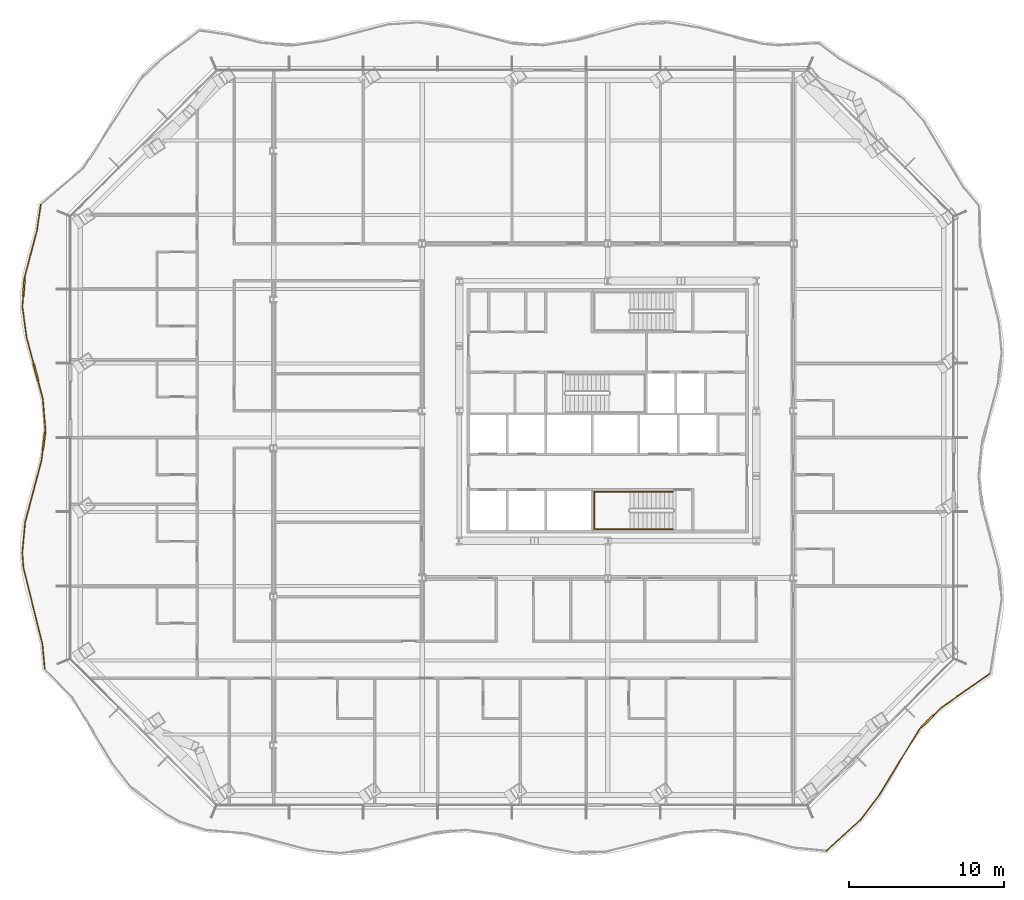
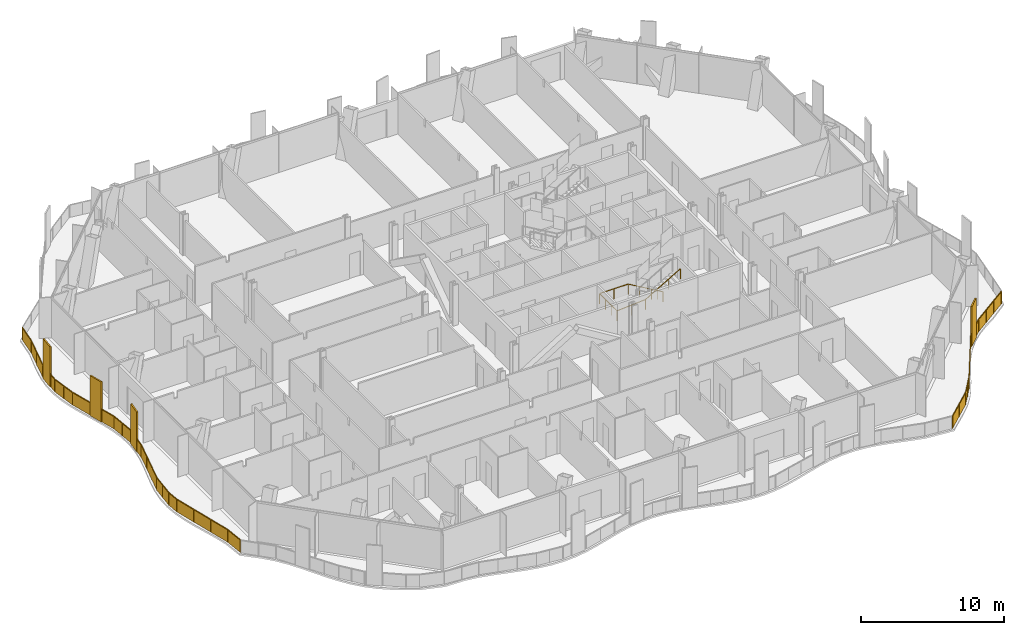
# One storey, part 13 of 17: 3 railings.
"""IFC4 building model written with IfcOpenShell, lengths in metres."""

from ifc_helpers import new_model, si_unit, direction, frame, origin, origin_2d, place, context, subcontext, project, spatial, polyline, rectangle, outline, extrude, material, type_object, element, save


model = new_model("IFC4")

# Units and contexts
model_context = context("Model", 3, precision=1e-05, world=origin(), true_north=direction((0.0, 1.0)))
body_context = subcontext(model_context, "Body", "Model", "MODEL_VIEW")
ifc_project = project(units=[si_unit("LENGTHUNIT", "METRE"), si_unit("AREAUNIT", "SQUARE_METRE"), si_unit("VOLUMEUNIT", "CUBIC_METRE"), si_unit("PLANEANGLEUNIT", "RADIAN"), si_unit("MASSUNIT", "GRAM", prefix="KILO")], contexts=[model_context])

# Site, building, storey
site_placement = place(None, origin())
site = spatial("IfcSite", under=ifc_project, at=site_placement, CompositionType="ELEMENT")
building_placement = place(site_placement, origin())
building = spatial("IfcBuilding", under=site, at=building_placement, Name="Cairn Pilgrim Tower", CompositionType="ELEMENT")
storey_placement = place(building_placement, frame((0.0, 0.0, 94.199951171875)))
storey = spatial("IfcBuildingStorey", under=building, at=storey_placement, Name="L22", CompositionType="ELEMENT", Elevation=94.199951171875)

# Railings
ifc_material_1 = material(Name="Bronze anodised aluminium rail, posts and fin screens with laminated glass infill", Category="aluminium")
railing_type_1 = type_object("IfcRailingType", Name="BALCONY GUARD WITH FIN SCREENS", PredefinedType="GUARDRAIL", material=ifc_material_1)
railing_1_placement = place(storey_placement, frame((21.33984375, -26.028564453125, 0.0)))
element("IfcRailing", 1, at=railing_1_placement, inside=storey, type_object=railing_type_1, Name="Balcony guard BGF-1 with fin screens", PredefinedType="GUARDRAIL", context=body_context, shape_type="SweptSolid", body=[
    extrude(rectangle(XDim=0.050048828125, YDim=0.050048828125, at=origin_2d()), frame((0.0, 0.0, 1.0751953125), z_axis=(0.737340494157, 0.675521276998, 0.0), x_axis=(-0.675521276998, 0.737340494157, 0.0)), (0.0, 0.0, 1.0), 3.044921875),
    extrude(rectangle(XDim=0.050048828125, YDim=0.050048828125, at=origin_2d()), frame((2.2451171875, 2.056884765625, 1.0751953125), z_axis=(0.60116868319, 0.799122152335, 0.0), x_axis=(-0.799122152335, 0.60116868319, 0.0)), (0.0, 0.0, 1.0), 1.9375),
    extrude(rectangle(XDim=0.050048828125, YDim=0.050048828125, at=origin_2d()), frame((3.409912109375, 3.605224609375, 1.0751953125), z_axis=(0.52057096734, 0.853818404558, 0.0), x_axis=(-0.853818404558, 0.52057096734, 0.0)), (0.0, 0.0, 1.0), 5.000732421875),
    extrude(rectangle(XDim=1.10009765625, YDim=0.110107421875, at=origin_2d()), frame((6.513671875, 8.364501953125, 0.0), z_axis=(0.0, 0.0, 1.0), x_axis=(0.714869029788, 0.699258371598, 0.0)), (0.0, 0.0, 1.0), 3.39990234375),
    extrude(rectangle(XDim=0.050048828125, YDim=0.050048828125, at=origin_2d()), frame((6.01318359375, 7.875, 1.0751953125), z_axis=(0.714869029788, 0.699258371598, 0.0), x_axis=(-0.699258371598, 0.714869029788, 0.0)), (0.0, 0.0, 1.0), 0.14990234375),
    extrude(rectangle(XDim=0.050048828125, YDim=0.050048828125, at=origin_2d()), frame((6.90673828125, 8.7490234375, 1.0751953125), z_axis=(0.714869029788, 0.699258371598, 0.0), x_axis=(-0.699258371598, 0.714869029788, 0.0)), (0.0, 0.0, 1.0), 0.720703125),
    extrude(rectangle(XDim=0.050048828125, YDim=0.050048828125, at=origin_2d()), frame((7.421875, 9.2529296875, 1.0751953125), z_axis=(0.819328850629, 0.573323847862, 0.0), x_axis=(-0.573323847862, 0.819328850629, 0.0)), (0.0, 0.0, 1.0), 3.7861328125),
    extrude(rectangle(XDim=0.050048828125, YDim=0.050048828125, at=origin_2d()), origin(), (0.0, 0.0, 1.0), 1.050048828125),
    extrude(rectangle(XDim=0.050048828125, YDim=0.050048828125, at=origin_2d()), frame((1.12255859375, 1.0283203125, 0.0)), (0.0, 0.0, 1.0), 1.050048828125),
    extrude(rectangle(XDim=0.050048828125, YDim=0.050048828125, at=origin_2d()), frame((2.2451171875, 2.056884765625, 0.0)), (0.0, 0.0, 1.0), 1.050048828125),
    extrude(rectangle(XDim=0.050048828125, YDim=0.050048828125, at=origin_2d()), frame((2.82763671875, 2.8310546875, 0.0)), (0.0, 0.0, 1.0), 1.050048828125),
    extrude(rectangle(XDim=0.050048828125, YDim=0.050048828125, at=origin_2d()), frame((3.409912109375, 3.605224609375, 0.0)), (0.0, 0.0, 1.0), 1.050048828125),
    extrude(rectangle(XDim=0.050048828125, YDim=0.050048828125, at=origin_2d()), frame((4.277587890625, 5.028564453125, 0.0)), (0.0, 0.0, 1.0), 1.050048828125),
    extrude(rectangle(XDim=0.050048828125, YDim=0.050048828125, at=origin_2d()), frame((5.1455078125, 6.45166015625, 0.0)), (0.0, 0.0, 1.0), 1.050048828125),
    extrude(rectangle(XDim=0.050048828125, YDim=0.050048828125, at=origin_2d()), frame((6.01318359375, 7.875, 0.0)), (0.0, 0.0, 1.0), 1.050048828125),
    extrude(rectangle(XDim=0.050048828125, YDim=0.050048828125, at=origin_2d()), frame((6.1025390625, 7.96240234375, 0.0)), (0.0, 0.0, 1.0), 1.050048828125),
    extrude(rectangle(XDim=0.050048828125, YDim=0.050048828125, at=origin_2d()), frame((6.924560546875, 8.7666015625, 0.0)), (0.0, 0.0, 1.0), 1.050048828125),
    extrude(rectangle(XDim=0.050048828125, YDim=0.050048828125, at=origin_2d()), frame((7.421875, 9.2529296875, 0.0)), (0.0, 0.0, 1.0), 1.050048828125),
    extrude(rectangle(XDim=0.050048828125, YDim=0.050048828125, at=origin_2d()), frame((8.455810546875, 9.9765625, 0.0)), (0.0, 0.0, 1.0), 1.050048828125),
    extrude(rectangle(XDim=0.050048828125, YDim=0.050048828125, at=origin_2d()), frame((9.489990234375, 10.699951171875, 0.0)), (0.0, 0.0, 1.0), 1.050048828125),
    extrude(rectangle(XDim=0.050048828125, YDim=0.050048828125, at=origin_2d()), frame((10.52392578125, 11.423583984375, 0.0)), (0.0, 0.0, 1.0), 1.050048828125),
    extrude(outline(polyline([(0.02490234375, 0.0), (1.497314453125, 0.0), (1.497314453125, 1.050048828125), (0.02490234375, 1.050048828125), (0.02490234375, 0.0)])), frame((-0.004150390625, 0.00439453125, 0.0), z_axis=(0.675521276998, -0.737340494157, 0.0), x_axis=(0.737340494157, 0.675521276998, 0.0)), (0.0, 0.0, 1.0), 0.011962890625),
    extrude(outline(polyline([(0.02490234375, 0.0), (1.497314453125, 0.0), (1.497314453125, 1.050048828125), (0.02490234375, 1.050048828125), (0.02490234375, 0.0)])), frame((1.118408203125, 1.032958984375, 0.0), z_axis=(0.675521276998, -0.737340494157, 0.0), x_axis=(0.737340494157, 0.675521276998, 0.0)), (0.0, 0.0, 1.0), 0.011962890625),
    extrude(outline(polyline([(0.02490234375, 0.0), (0.94384765625, 0.0), (0.94384765625, 1.050048828125), (0.02490234375, 1.050048828125), (0.02490234375, 0.0)])), frame((2.240234375, 2.060546875, 0.0), z_axis=(0.799122152335, -0.60116868319, 0.0), x_axis=(0.60116868319, 0.799122152335, 0.0)), (0.0, 0.0, 1.0), 0.011962890625),
    extrude(outline(polyline([(0.02490234375, 0.0), (0.94384765625, 0.0), (0.94384765625, 1.050048828125), (0.02490234375, 1.050048828125), (0.02490234375, 0.0)])), frame((2.82275390625, 2.834716796875, 0.0), z_axis=(0.799122152335, -0.60116868319, 0.0), x_axis=(0.60116868319, 0.799122152335, 0.0)), (0.0, 0.0, 1.0), 0.011962890625),
    extrude(outline(polyline([(0.02490234375, 0.0), (1.641845703125, 0.0), (1.641845703125, 1.050048828125), (0.02490234375, 1.050048828125), (0.02490234375, 0.0)])), frame((3.40478515625, 3.6083984375, 0.0), z_axis=(0.853818404558, -0.52057096734, 0.0), x_axis=(0.52057096734, 0.853818404558, 0.0)), (0.0, 0.0, 1.0), 0.011962890625),
    extrude(outline(polyline([(0.02490234375, 0.0), (1.641845703125, 0.0), (1.641845703125, 1.050048828125), (0.02490234375, 1.050048828125), (0.02490234375, 0.0)])), frame((4.2724609375, 5.031494140625, 0.0), z_axis=(0.853818404558, -0.52057096734, 0.0), x_axis=(0.52057096734, 0.853818404558, 0.0)), (0.0, 0.0, 1.0), 0.011962890625),
    extrude(outline(polyline([(0.02490234375, 0.0), (1.641845703125, 0.0), (1.641845703125, 1.050048828125), (0.02490234375, 1.050048828125), (0.02490234375, 0.0)])), frame((5.140380859375, 6.454833984375, 0.0), z_axis=(0.853818404558, -0.52057096734, 0.0), x_axis=(0.52057096734, 0.853818404558, 0.0)), (0.0, 0.0, 1.0), 0.011962890625),
    extrude(outline(polyline([(0.02490234375, 0.0), (0.099853515625, 0.0), (0.099853515625, 1.050048828125), (0.02490234375, 1.050048828125), (0.02490234375, 0.0)])), frame((6.009033203125, 7.87939453125, 0.0), z_axis=(0.699258371598, -0.714869029788, 0.0), x_axis=(0.714869029788, 0.699258371598, 0.0)), (0.0, 0.0, 1.0), 0.011962890625),
    extrude(outline(polyline([(0.02490234375, 0.0), (0.670654296875, 0.0), (0.670654296875, 1.050048828125), (0.02490234375, 1.050048828125), (0.02490234375, 0.0)])), frame((6.92041015625, 8.770751953125, 0.0), z_axis=(0.699258371598, -0.714869029788, 0.0), x_axis=(0.714869029788, 0.699258371598, 0.0)), (0.0, 0.0, 1.0), 0.011962890625),
    extrude(outline(polyline([(0.02490234375, 0.0), (1.237060546875, 0.0), (1.237060546875, 1.050048828125), (0.02490234375, 1.050048828125), (0.02490234375, 0.0)])), frame((7.41845703125, 9.2578125, 0.0), z_axis=(0.573323847862, -0.819328850629, 0.0), x_axis=(0.819328850629, 0.573323847862, 0.0)), (0.0, 0.0, 1.0), 0.011962890625),
    extrude(outline(polyline([(0.02490234375, 0.0), (1.237060546875, 0.0), (1.237060546875, 1.050048828125), (0.02490234375, 1.050048828125), (0.02490234375, 0.0)])), frame((8.452392578125, 9.9814453125, 0.0), z_axis=(0.573323847862, -0.819328850629, 0.0), x_axis=(0.819328850629, 0.573323847862, 0.0)), (0.0, 0.0, 1.0), 0.011962890625),
    extrude(outline(polyline([(0.02490234375, 0.0), (1.237060546875, 0.0), (1.237060546875, 1.050048828125), (0.02490234375, 1.050048828125), (0.02490234375, 0.0)])), frame((9.486572265625, 10.704833984375, 0.0), z_axis=(0.573323847862, -0.819328850629, 0.0), x_axis=(0.819328850629, 0.573323847862, 0.0)), (0.0, 0.0, 1.0), 0.011962890625),
])
railing_2_placement = place(storey_placement, frame((-29.444091796875, 15.7373046875, 0.0)))
element("IfcRailing", 2, at=railing_2_placement, inside=storey, type_object=railing_type_1, Name="Balcony guard BGF-6 with fin screens", PredefinedType="GUARDRAIL", context=body_context, shape_type="SweptSolid", body=[
    extrude(rectangle(XDim=0.050048828125, YDim=0.050048828125, at=origin_2d()), frame((0.0, 0.0, 1.0751953125), z_axis=(-0.148284513819, -0.988944742117, 0.0), x_axis=(0.988944742117, -0.148284513819, 0.0)), (0.0, 0.0, 1.0), 1.707275390625),
    extrude(rectangle(XDim=0.050048828125, YDim=0.050048828125, at=origin_2d()), frame((-0.253173828125, -1.6884765625, 1.0751953125), z_axis=(-0.255251134666, -0.966874789335, 0.0), x_axis=(0.966874789335, -0.255251134666, 0.0)), (0.0, 0.0, 1.0), 3.075927734375),
    extrude(rectangle(XDim=1.10009765625, YDim=0.110107421875, at=origin_2d()), frame((-1.093017578125, -5.360595703125, 0.0), z_axis=(0.0, 0.0, 1.0), x_axis=(-0.078247003732, -0.996934003035, 0.0)), (0.0, 0.0, 1.0), 3.39990234375),
    extrude(rectangle(XDim=0.050048828125, YDim=0.050048828125, at=origin_2d()), frame((-1.038330078125, -4.66259765625, 1.0751953125), z_axis=(-0.078247003732, -0.996934003035, 0.0), x_axis=(0.996934003035, -0.078247003732, 0.0)), (0.0, 0.0, 1.0), 0.150146484375),
    extrude(rectangle(XDim=0.050048828125, YDim=0.050048828125, at=origin_2d()), frame((-1.13623046875, -5.908935546875, 1.0751953125), z_axis=(-0.078247003732, -0.996934003035, 0.0), x_axis=(0.996934003035, -0.078247003732, 0.0)), (0.0, 0.0, 1.0), 0.71240234375),
    extrude(rectangle(XDim=0.050048828125, YDim=0.050048828125, at=origin_2d()), frame((-1.19189453125, -6.619140625, 1.0751953125), z_axis=(0.137121414597, -0.990554247711, 0.0), x_axis=(0.990554247711, 0.137121414597, 0.0)), (0.0, 0.0, 1.0), 1.97998046875),
    extrude(rectangle(XDim=1.10009765625, YDim=0.110107421875, at=origin_2d()), frame((-0.3203125, -10.852294921875, 0.0), z_axis=(0.0, 0.0, 1.0), x_axis=(0.255378558852, -0.96684114087, 0.0)), (0.0, 0.0, 1.0), 3.39990234375),
    extrude(rectangle(XDim=0.050048828125, YDim=0.050048828125, at=origin_2d()), frame((-0.92041015625, -8.580322265625, 1.0751953125), z_axis=(0.255378558852, -0.96684114087, 0.0), x_axis=(0.96684114087, 0.255378558852, 0.0)), (0.0, 0.0, 1.0), 1.800048828125),
    extrude(rectangle(XDim=0.050048828125, YDim=0.050048828125, at=origin_2d()), frame((-0.179931640625, -11.384033203125, 1.0751953125), z_axis=(0.255378558852, -0.96684114087, 0.0), x_axis=(0.96684114087, 0.255378558852, 0.0)), (0.0, 0.0, 1.0), 1.212646484375),
    extrude(rectangle(XDim=0.050048828125, YDim=0.050048828125, at=origin_2d()), frame((0.1298828125, -12.556640625, 1.0751953125), z_axis=(0.084254163408, -0.99644429646, 0.0), x_axis=(0.99644429646, 0.084254163408, 0.0)), (0.0, 0.0, 1.0), 2.0224609375),
    extrude(rectangle(XDim=1.10009765625, YDim=0.110107421875, at=origin_2d()), frame((0.2080078125, -15.26611328125, 0.0), z_axis=(0.0, 0.0, 1.0), x_axis=(-0.131832796565, -0.9912719676, 0.0)), (0.0, 0.0, 1.0), 3.39990234375),
    extrude(rectangle(XDim=0.050048828125, YDim=0.050048828125, at=origin_2d()), frame((0.30029296875, -14.572021484375, 1.0751953125), z_axis=(-0.131832796565, -0.9912719676, 0.0), x_axis=(0.9912719676, -0.131832796565, 0.0)), (0.0, 0.0, 1.0), 0.150146484375),
    extrude(rectangle(XDim=0.050048828125, YDim=0.050048828125, at=origin_2d()), frame((0.135498046875, -15.811279296875, 1.0751953125), z_axis=(-0.131832796565, -0.9912719676, 0.0), x_axis=(0.9912719676, -0.131832796565, 0.0)), (0.0, 0.0, 1.0), 0.779541015625),
    extrude(rectangle(XDim=0.050048828125, YDim=0.050048828125, at=origin_2d()), frame((0.03271484375, -16.583984375, 1.0751953125), z_axis=(-0.255859873547, -0.96671387965, 0.0), x_axis=(0.96671387965, -0.255859873547, 0.0)), (0.0, 0.0, 1.0), 4.10595703125),
    extrude(rectangle(XDim=0.050048828125, YDim=0.050048828125, at=origin_2d()), frame((-1.017822265625, -20.55322265625, 1.0751953125), z_axis=(-0.090010337781, -0.99594083112, 0.0), x_axis=(0.99594083112, -0.090010337781, 0.0)), (0.0, 0.0, 1.0), 1.96923828125),
    extrude(rectangle(XDim=0.050048828125, YDim=0.050048828125, at=origin_2d()), frame((-1.195068359375, -22.514404296875, 1.0751953125), z_axis=(0.076196500556, -0.997092820806, 0.0), x_axis=(0.997092820806, 0.076196500556, 0.0)), (0.0, 0.0, 1.0), 0.970947265625),
    extrude(rectangle(XDim=0.050048828125, YDim=0.050048828125, at=origin_2d()), frame((-1.12109375, -23.482421875, 1.0751953125), z_axis=(0.240434772767, -0.970665297641, 0.0), x_axis=(0.970665297641, 0.240434772767, 0.0)), (0.0, 0.0, 1.0), 5.11474609375),
    extrude(rectangle(XDim=0.050048828125, YDim=0.050048828125, at=origin_2d()), frame((0.108642578125, -28.447021484375, 1.0751953125), z_axis=(0.090707623283, -0.995877566309, 0.0), x_axis=(0.995877566309, 0.090707623283, 0.0)), (0.0, 0.0, 1.0), 1.536865234375),
    extrude(rectangle(XDim=0.050048828125, YDim=0.050048828125, at=origin_2d()), origin(), (0.0, 0.0, 1.0), 1.050048828125),
    extrude(rectangle(XDim=0.050048828125, YDim=0.050048828125, at=origin_2d()), frame((-0.253173828125, -1.6884765625, 0.0)), (0.0, 0.0, 1.0), 1.050048828125),
    extrude(rectangle(XDim=0.050048828125, YDim=0.050048828125, at=origin_2d()), frame((-0.645751953125, -3.175537109375, 0.0)), (0.0, 0.0, 1.0), 1.050048828125),
    extrude(rectangle(XDim=0.050048828125, YDim=0.050048828125, at=origin_2d()), frame((-1.038330078125, -4.66259765625, 0.0)), (0.0, 0.0, 1.0), 1.050048828125),
    extrude(rectangle(XDim=0.050048828125, YDim=0.050048828125, at=origin_2d()), frame((-1.048095703125, -4.787353515625, 0.0)), (0.0, 0.0, 1.0), 1.050048828125),
    extrude(rectangle(XDim=0.050048828125, YDim=0.050048828125, at=origin_2d()), frame((-1.13818359375, -5.933837890625, 0.0)), (0.0, 0.0, 1.0), 1.050048828125),
    extrude(rectangle(XDim=0.050048828125, YDim=0.050048828125, at=origin_2d()), frame((-1.19189453125, -6.619140625, 0.0)), (0.0, 0.0, 1.0), 1.050048828125),
    extrude(rectangle(XDim=0.050048828125, YDim=0.050048828125, at=origin_2d()), frame((-1.05615234375, -7.599609375, 0.0)), (0.0, 0.0, 1.0), 1.050048828125),
    extrude(rectangle(XDim=0.050048828125, YDim=0.050048828125, at=origin_2d()), frame((-0.92041015625, -8.580322265625, 0.0)), (0.0, 0.0, 1.0), 1.050048828125),
    extrude(rectangle(XDim=0.050048828125, YDim=0.050048828125, at=origin_2d()), frame((-0.467041015625, -10.29638671875, 0.0)), (0.0, 0.0, 1.0), 1.050048828125),
    extrude(rectangle(XDim=0.050048828125, YDim=0.050048828125, at=origin_2d()), frame((-0.17333984375, -11.408447265625, 0.0)), (0.0, 0.0, 1.0), 1.050048828125),
    extrude(rectangle(XDim=0.050048828125, YDim=0.050048828125, at=origin_2d()), frame((0.1298828125, -12.556640625, 0.0)), (0.0, 0.0, 1.0), 1.050048828125),
    extrude(rectangle(XDim=0.050048828125, YDim=0.050048828125, at=origin_2d()), frame((0.215087890625, -13.564453125, 0.0)), (0.0, 0.0, 1.0), 1.050048828125),
    extrude(rectangle(XDim=0.050048828125, YDim=0.050048828125, at=origin_2d()), frame((0.30029296875, -14.572021484375, 0.0)), (0.0, 0.0, 1.0), 1.050048828125),
    extrude(rectangle(XDim=0.050048828125, YDim=0.050048828125, at=origin_2d()), frame((0.28369140625, -14.696044921875, 0.0)), (0.0, 0.0, 1.0), 1.050048828125),
    extrude(rectangle(XDim=0.050048828125, YDim=0.050048828125, at=origin_2d()), frame((0.132080078125, -15.836181640625, 0.0)), (0.0, 0.0, 1.0), 1.050048828125),
    extrude(rectangle(XDim=0.050048828125, YDim=0.050048828125, at=origin_2d()), frame((0.03271484375, -16.583984375, 0.0)), (0.0, 0.0, 1.0), 1.050048828125),
    extrude(rectangle(XDim=0.050048828125, YDim=0.050048828125, at=origin_2d()), frame((-0.3173828125, -17.906982421875, 0.0)), (0.0, 0.0, 1.0), 1.050048828125),
    extrude(rectangle(XDim=0.050048828125, YDim=0.050048828125, at=origin_2d()), frame((-0.667724609375, -19.230224609375, 0.0)), (0.0, 0.0, 1.0), 1.050048828125),
    extrude(rectangle(XDim=0.050048828125, YDim=0.050048828125, at=origin_2d()), frame((-1.017822265625, -20.55322265625, 0.0)), (0.0, 0.0, 1.0), 1.050048828125),
    extrude(rectangle(XDim=0.050048828125, YDim=0.050048828125, at=origin_2d()), frame((-1.1064453125, -21.53369140625, 0.0)), (0.0, 0.0, 1.0), 1.050048828125),
    extrude(rectangle(XDim=0.050048828125, YDim=0.050048828125, at=origin_2d()), frame((-1.195068359375, -22.514404296875, 0.0)), (0.0, 0.0, 1.0), 1.050048828125),
    extrude(rectangle(XDim=0.050048828125, YDim=0.050048828125, at=origin_2d()), frame((-1.12109375, -23.482421875, 0.0)), (0.0, 0.0, 1.0), 1.050048828125),
    extrude(rectangle(XDim=0.050048828125, YDim=0.050048828125, at=origin_2d()), frame((-0.711181640625, -25.13720703125, 0.0)), (0.0, 0.0, 1.0), 1.050048828125),
    extrude(rectangle(XDim=0.050048828125, YDim=0.050048828125, at=origin_2d()), frame((-0.30126953125, -26.792236328125, 0.0)), (0.0, 0.0, 1.0), 1.050048828125),
    extrude(rectangle(XDim=0.050048828125, YDim=0.050048828125, at=origin_2d()), frame((0.108642578125, -28.447021484375, 0.0)), (0.0, 0.0, 1.0), 1.050048828125),
    extrude(rectangle(XDim=0.050048828125, YDim=0.050048828125, at=origin_2d()), frame((0.248046875, -29.9775390625, 0.0)), (0.0, 0.0, 1.0), 1.050048828125),
    extrude(outline(polyline([(0.02490234375, 0.0), (1.682373046875, 0.0), (1.682373046875, 1.050048828125), (0.02490234375, 1.050048828125), (0.02490234375, 0.0)])), frame((0.005859375, -0.0009765625, 0.0), z_axis=(-0.988944742117, 0.148284513819, 0.0), x_axis=(-0.148284513819, -0.988944742117, 0.0)), (0.0, 0.0, 1.0), 0.011962890625),
    extrude(outline(polyline([(0.02490234375, 0.0), (1.512939453125, 0.0), (1.512939453125, 1.050048828125), (0.02490234375, 1.050048828125), (0.02490234375, 0.0)])), frame((-0.247314453125, -1.68994140625, 0.0), z_axis=(-0.966874789335, 0.255251134666, 0.0), x_axis=(-0.255251134666, -0.966874789335, 0.0)), (0.0, 0.0, 1.0), 0.011962890625),
    extrude(outline(polyline([(0.02490234375, 0.0), (1.512939453125, 0.0), (1.512939453125, 1.050048828125), (0.02490234375, 1.050048828125), (0.02490234375, 0.0)])), frame((-0.639892578125, -3.177001953125, 0.0), z_axis=(-0.966874789335, 0.255251134666, 0.0), x_axis=(-0.255251134666, -0.966874789335, 0.0)), (0.0, 0.0, 1.0), 0.011962890625),
    extrude(outline(polyline([(0.02490234375, 0.0), (0.10009765625, 0.0), (0.10009765625, 1.050048828125), (0.02490234375, 1.050048828125), (0.02490234375, 0.0)])), frame((-1.032470703125, -4.6630859375, 0.0), z_axis=(-0.996934003035, 0.078247003732, 0.0), x_axis=(-0.078247003732, -0.996934003035, 0.0)), (0.0, 0.0, 1.0), 0.011962890625),
    extrude(outline(polyline([(0.02490234375, 0.0), (0.662353515625, 0.0), (0.662353515625, 1.050048828125), (0.02490234375, 1.050048828125), (0.02490234375, 0.0)])), frame((-1.132080078125, -5.934326171875, 0.0), z_axis=(-0.996934003035, 0.078247003732, 0.0), x_axis=(-0.078247003732, -0.996934003035, 0.0)), (0.0, 0.0, 1.0), 0.011962890625),
    extrude(outline(polyline([(0.02490234375, 0.0), (0.96484375, 0.0), (0.96484375, 1.050048828125), (0.02490234375, 1.050048828125), (0.02490234375, 0.0)])), frame((-1.18603515625, -6.618408203125, 0.0), z_axis=(-0.990554247711, -0.137121414597, 0.0), x_axis=(0.137121414597, -0.990554247711, 0.0)), (0.0, 0.0, 1.0), 0.011962890625),
    extrude(outline(polyline([(0.02490234375, 0.0), (0.96484375, 0.0), (0.96484375, 1.050048828125), (0.02490234375, 1.050048828125), (0.02490234375, 0.0)])), frame((-1.05029296875, -7.598876953125, 0.0), z_axis=(-0.990554247711, -0.137121414597, 0.0), x_axis=(0.137121414597, -0.990554247711, 0.0)), (0.0, 0.0, 1.0), 0.011962890625),
    extrude(outline(polyline([(0.02490234375, 0.0), (1.75, 0.0), (1.75, 1.050048828125), (0.02490234375, 1.050048828125), (0.02490234375, 0.0)])), frame((-0.91455078125, -8.578857421875, 0.0), z_axis=(-0.96684114087, -0.255378558852, 0.0), x_axis=(0.255378558852, -0.96684114087, 0.0)), (0.0, 0.0, 1.0), 0.011962890625),
    extrude(outline(polyline([(0.02490234375, 0.0), (1.16259765625, 0.0), (1.16259765625, 1.050048828125), (0.02490234375, 1.050048828125), (0.02490234375, 0.0)])), frame((-0.167724609375, -11.40673828125, 0.0), z_axis=(-0.96684114087, -0.255378558852, 0.0), x_axis=(0.255378558852, -0.96684114087, 0.0)), (0.0, 0.0, 1.0), 0.011962890625),
    extrude(outline(polyline([(0.02490234375, 0.0), (0.986328125, 0.0), (0.986328125, 1.050048828125), (0.02490234375, 1.050048828125), (0.02490234375, 0.0)])), frame((0.1357421875, -12.55615234375, 0.0), z_axis=(-0.99644429646, -0.084254163408, 0.0), x_axis=(0.084254163408, -0.99644429646, 0.0)), (0.0, 0.0, 1.0), 0.011962890625),
    extrude(outline(polyline([(0.02490234375, 0.0), (0.986328125, 0.0), (0.986328125, 1.050048828125), (0.02490234375, 1.050048828125), (0.02490234375, 0.0)])), frame((0.220947265625, -13.563720703125, 0.0), z_axis=(-0.99644429646, -0.084254163408, 0.0), x_axis=(0.084254163408, -0.99644429646, 0.0)), (0.0, 0.0, 1.0), 0.011962890625),
    extrude(outline(polyline([(0.02490234375, 0.0), (0.10009765625, 0.0), (0.10009765625, 1.050048828125), (0.02490234375, 1.050048828125), (0.02490234375, 0.0)])), frame((0.30615234375, -14.57275390625, 0.0), z_axis=(-0.9912719676, 0.131832796565, 0.0), x_axis=(-0.131832796565, -0.9912719676, 0.0)), (0.0, 0.0, 1.0), 0.011962890625),
    extrude(outline(polyline([(0.02490234375, 0.0), (0.7294921875, 0.0), (0.7294921875, 1.050048828125), (0.02490234375, 1.050048828125), (0.02490234375, 0.0)])), frame((0.13818359375, -15.8369140625, 0.0), z_axis=(-0.9912719676, 0.131832796565, 0.0), x_axis=(-0.131832796565, -0.9912719676, 0.0)), (0.0, 0.0, 1.0), 0.011962890625),
    extrude(outline(polyline([(0.02490234375, 0.0), (1.343505859375, 0.0), (1.343505859375, 1.050048828125), (0.02490234375, 1.050048828125), (0.02490234375, 0.0)])), frame((0.03857421875, -16.58544921875, 0.0), z_axis=(-0.96671387965, 0.255859873547, 0.0), x_axis=(-0.255859873547, -0.96671387965, 0.0)), (0.0, 0.0, 1.0), 0.011962890625),
    extrude(outline(polyline([(0.02490234375, 0.0), (1.343505859375, 0.0), (1.343505859375, 1.050048828125), (0.02490234375, 1.050048828125), (0.02490234375, 0.0)])), frame((-0.311767578125, -17.90869140625, 0.0), z_axis=(-0.96671387965, 0.255859873547, 0.0), x_axis=(-0.255859873547, -0.96671387965, 0.0)), (0.0, 0.0, 1.0), 0.011962890625),
    extrude(outline(polyline([(0.02490234375, 0.0), (1.343505859375, 0.0), (1.343505859375, 1.050048828125), (0.02490234375, 1.050048828125), (0.02490234375, 0.0)])), frame((-0.661865234375, -19.231689453125, 0.0), z_axis=(-0.96671387965, 0.255859873547, 0.0), x_axis=(-0.255859873547, -0.96671387965, 0.0)), (0.0, 0.0, 1.0), 0.011962890625),
    extrude(outline(polyline([(0.02490234375, 0.0), (0.95947265625, 0.0), (0.95947265625, 1.050048828125), (0.02490234375, 1.050048828125), (0.02490234375, 0.0)])), frame((-1.011962890625, -20.5537109375, 0.0), z_axis=(-0.99594083112, 0.090010337781, 0.0), x_axis=(-0.090010337781, -0.99594083112, 0.0)), (0.0, 0.0, 1.0), 0.011962890625),
    extrude(outline(polyline([(0.02490234375, 0.0), (0.95947265625, 0.0), (0.95947265625, 1.050048828125), (0.02490234375, 1.050048828125), (0.02490234375, 0.0)])), frame((-1.1005859375, -21.534423828125, 0.0), z_axis=(-0.99594083112, 0.090010337781, 0.0), x_axis=(-0.090010337781, -0.99594083112, 0.0)), (0.0, 0.0, 1.0), 0.011962890625),
    extrude(outline(polyline([(0.02490234375, 0.0), (0.94580078125, 0.0), (0.94580078125, 1.050048828125), (0.02490234375, 1.050048828125), (0.02490234375, 0.0)])), frame((-1.189208984375, -22.513916015625, 0.0), z_axis=(-0.997092820806, -0.076196500556, 0.0), x_axis=(0.076196500556, -0.997092820806, 0.0)), (0.0, 0.0, 1.0), 0.011962890625),
    extrude(outline(polyline([(0.02490234375, 0.0), (1.679931640625, 0.0), (1.679931640625, 1.050048828125), (0.02490234375, 1.050048828125), (0.02490234375, 0.0)])), frame((-1.115234375, -23.48095703125, 0.0), z_axis=(-0.970665297641, -0.240434772767, 0.0), x_axis=(0.240434772767, -0.970665297641, 0.0)), (0.0, 0.0, 1.0), 0.011962890625),
    extrude(outline(polyline([(0.02490234375, 0.0), (1.679931640625, 0.0), (1.679931640625, 1.050048828125), (0.02490234375, 1.050048828125), (0.02490234375, 0.0)])), frame((-0.705322265625, -25.1357421875, 0.0), z_axis=(-0.970665297641, -0.240434772767, 0.0), x_axis=(0.240434772767, -0.970665297641, 0.0)), (0.0, 0.0, 1.0), 0.011962890625),
    extrude(outline(polyline([(0.02490234375, 0.0), (1.679931640625, 0.0), (1.679931640625, 1.050048828125), (0.02490234375, 1.050048828125), (0.02490234375, 0.0)])), frame((-0.29541015625, -26.790771484375, 0.0), z_axis=(-0.970665297641, -0.240434772767, 0.0), x_axis=(0.240434772767, -0.970665297641, 0.0)), (0.0, 0.0, 1.0), 0.011962890625),
    extrude(outline(polyline([(0.02490234375, 0.0), (1.51171875, 0.0), (1.51171875, 1.050048828125), (0.02490234375, 1.050048828125), (0.02490234375, 0.0)])), frame((0.114501953125, -28.446533203125, 0.0), z_axis=(-0.995877566309, -0.090707623283, 0.0), x_axis=(0.090707623283, -0.995877566309, 0.0)), (0.0, 0.0, 1.0), 0.011962890625),
])
ifc_material_2 = material(Name="Painted steel", Category="steel")
railing_type_2 = type_object("IfcRailingType", Name="STAIR HANDRAIL 900", PredefinedType="HANDRAIL", material=ifc_material_2)
railing_3_placement = place(storey_placement, frame((11.425048828125, -2.824951171875, 0.16357421875)))
element("IfcRailing", 3, at=railing_3_placement, inside=storey, type_object=railing_type_2, Name="L22 ST-A stair handrail 1", PredefinedType="HANDRAIL", context=body_context, shape_type="SweptSolid", body=[
    extrude(rectangle(XDim=0.048095703125, YDim=0.048095703125, at=origin_2d()), frame((0.0, 0.0, 0.8759765625), z_axis=(-0.863360870873, 0.0, 0.504586966384), x_axis=(0.0, -1.0, 0.0)), (0.0, 0.0, 1.0), 3.2431640625),
    extrude(rectangle(XDim=0.048095703125, YDim=0.048095703125, at=origin_2d()), frame((-2.800048828125, 0.0, 2.51220703125), z_axis=(-1.0, 0.0, 0.0), x_axis=(0.0, -1.0, 0.0)), (0.0, 0.0, 1.0), 2.300048828125),
    extrude(rectangle(XDim=0.048095703125, YDim=0.048095703125, at=origin_2d()), frame((-5.10009765625, 0.0, 2.51220703125), z_axis=(0.0, -1.0, 0.0), x_axis=(1.0, 0.0, 0.0)), (0.0, 0.0, 1.0), 2.425048828125),
    extrude(rectangle(XDim=0.048095703125, YDim=0.048095703125, at=origin_2d()), frame((-5.10009765625, -2.425048828125, 2.51220703125), z_axis=(0.997480687736, 0.0, 0.070938548008), x_axis=(0.0, 1.0, 0.0)), (0.0, 0.0, 1.0), 2.305908203125),
    extrude(rectangle(XDim=0.048095703125, YDim=0.048095703125, at=origin_2d()), frame((-2.800048828125, -2.425048828125, 2.67578125), z_axis=(0.863360870873, 0.0, 0.504586966384), x_axis=(0.0, 1.0, 0.0)), (0.0, 0.0, 1.0), 3.2431640625),
    extrude(rectangle(XDim=0.0419921875, YDim=0.0419921875, at=origin_2d()), origin(), (0.0, 0.0, 1.0), 0.851806640625),
    extrude(rectangle(XDim=0.0419921875, YDim=0.0419921875, at=origin_2d()), frame((-0.933349609375, 0.0, 0.54541015625)), (0.0, 0.0, 1.0), 0.851806640625),
    extrude(rectangle(XDim=0.0419921875, YDim=0.0419921875, at=origin_2d()), frame((-1.86669921875, 0.0, 1.091064453125)), (0.0, 0.0, 1.0), 0.851806640625),
    extrude(rectangle(XDim=0.0419921875, YDim=0.0419921875, at=origin_2d()), frame((-2.800048828125, 0.0, 1.636474609375)), (0.0, 0.0, 1.0), 0.851806640625),
    extrude(rectangle(XDim=0.0419921875, YDim=0.0419921875, at=origin_2d()), frame((-3.9501953125, 0.0, 1.636474609375)), (0.0, 0.0, 1.0), 0.851806640625),
    extrude(rectangle(XDim=0.0419921875, YDim=0.0419921875, at=origin_2d()), frame((-5.10009765625, 0.0, 1.636474609375)), (0.0, 0.0, 1.0), 0.851806640625),
    extrude(rectangle(XDim=0.0419921875, YDim=0.0419921875, at=origin_2d()), frame((-5.10009765625, -0.808349609375, 1.636474609375)), (0.0, 0.0, 1.0), 0.851806640625),
    extrude(rectangle(XDim=0.0419921875, YDim=0.0419921875, at=origin_2d()), frame((-5.10009765625, -1.61669921875, 1.636474609375)), (0.0, 0.0, 1.0), 0.851806640625),
    extrude(rectangle(XDim=0.0419921875, YDim=0.0419921875, at=origin_2d()), frame((-5.10009765625, -2.425048828125, 1.636474609375)), (0.0, 0.0, 1.0), 0.851806640625),
    extrude(rectangle(XDim=0.0419921875, YDim=0.0419921875, at=origin_2d()), frame((-3.9501953125, -2.425048828125, 1.71826171875)), (0.0, 0.0, 1.0), 0.851806640625),
    extrude(rectangle(XDim=0.0419921875, YDim=0.0419921875, at=origin_2d()), frame((-2.800048828125, -2.425048828125, 1.800048828125)), (0.0, 0.0, 1.0), 0.851806640625),
    extrude(rectangle(XDim=0.0419921875, YDim=0.0419921875, at=origin_2d()), frame((-1.86669921875, -2.425048828125, 2.345458984375)), (0.0, 0.0, 1.0), 0.851806640625),
    extrude(rectangle(XDim=0.0419921875, YDim=0.0419921875, at=origin_2d()), frame((-0.933349609375, -2.425048828125, 2.89111328125)), (0.0, 0.0, 1.0), 0.851806640625),
    extrude(rectangle(XDim=0.0419921875, YDim=0.0419921875, at=origin_2d()), frame((0.0, -2.425048828125, 3.4365234375)), (0.0, 0.0, 1.0), 0.851806640625),
])

save(model, "model.ifc")
